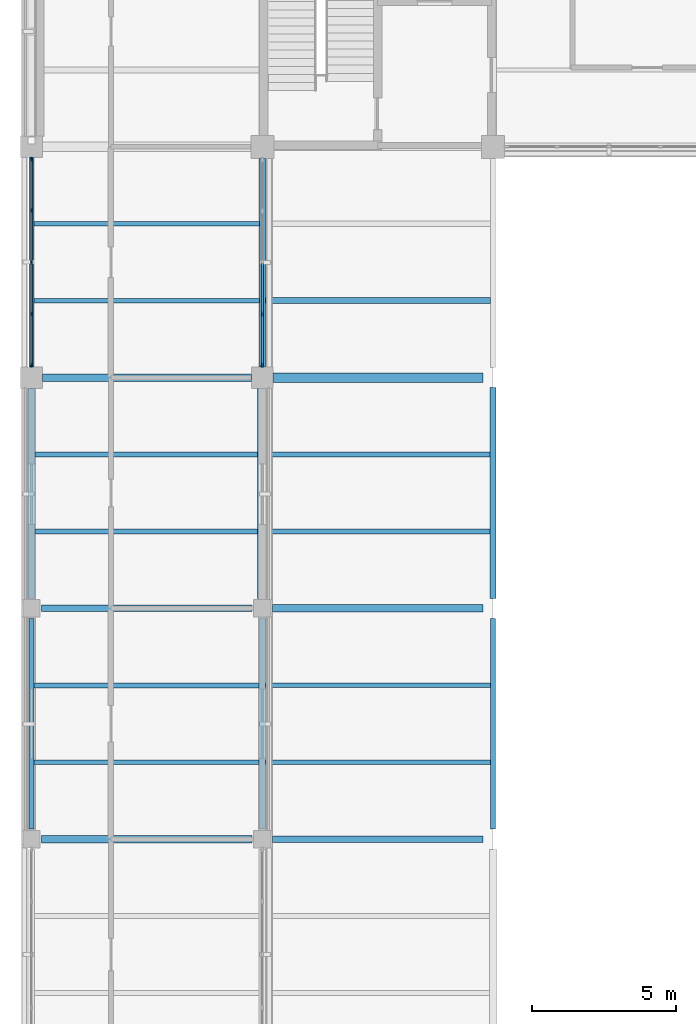
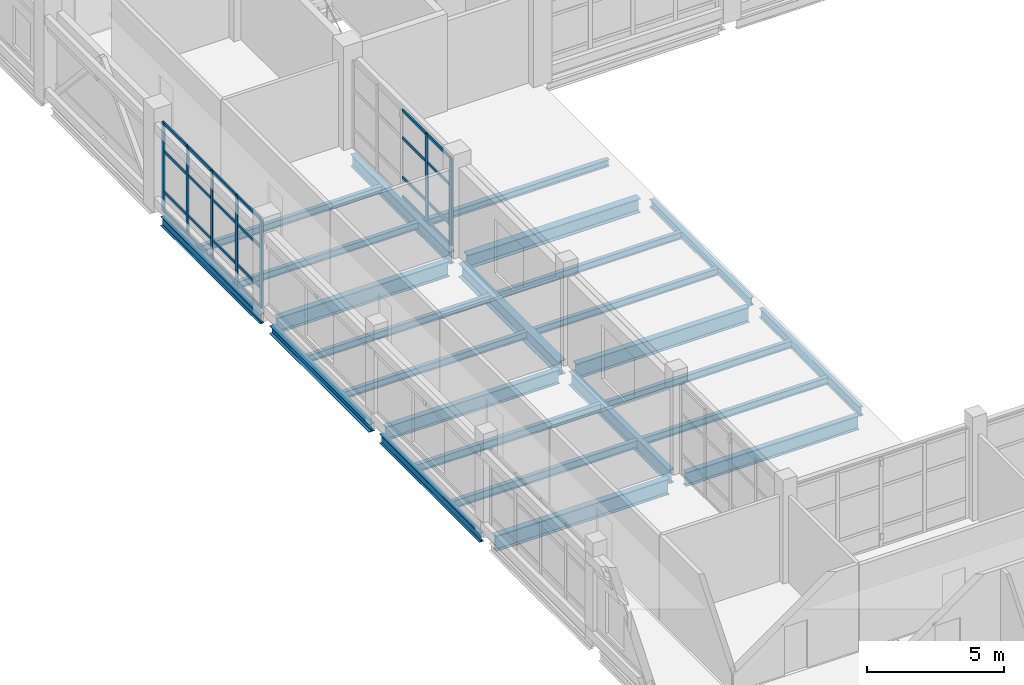
# One storey, part 31 of 121: 31 members, 25 beams, 2 elements without a shape of their own.
"""IFC4 building model written with IfcOpenShell, lengths in metres."""

from ifc_helpers import new_model, si_unit, derived_unit, direction, frame, origin, origin_2d, place, context, subcontext, project, spatial, rectangle, i_section, extrude, material, layer, layer_set, material_profile, profile_set, type_object, element, aggregate, save


model = new_model("IFC4")

# Units and contexts
model_context = context("Model", 3, precision=1e-05, world=origin(), true_north=direction((0.0, 1.0)))
body_context = subcontext(model_context, "Body", "Model", "MODEL_VIEW")
ifc_project = project(units=[si_unit("LENGTHUNIT", "METRE"), si_unit("AREAUNIT", "SQUARE_METRE"), si_unit("VOLUMEUNIT", "CUBIC_METRE"), si_unit("PLANEANGLEUNIT", "RADIAN"), si_unit("MASSUNIT", "GRAM", prefix="KILO"), derived_unit("THERMALTRANSMITTANCEUNIT", [(si_unit("MASSUNIT", "GRAM", prefix="KILO"), 1), (si_unit("TIMEUNIT", "SECOND"), -3), (si_unit("THERMODYNAMICTEMPERATUREUNIT", "KELVIN"), -1)])], contexts=[model_context])

# Site, building, storey
site_placement = place(None, origin())
site = spatial("IfcSite", under=ifc_project, at=site_placement, CompositionType="ELEMENT")
building_placement = place(site_placement, origin())
building = spatial("IfcBuilding", under=site, at=building_placement, Name="Veyamyaing Civic Hall", CompositionType="ELEMENT")
storey_placement = place(building_placement, frame((0.0, 0.0, 5.280029296875)))
storey = spatial("IfcBuildingStorey", under=building, at=storey_placement, Name="L01", CompositionType="ELEMENT", Elevation=5.280029296875)

# Beams
ifc_material_1 = material(Name="Steel ASTM A992", Category="steel")
ifc_material_profile_1 = material_profile(ifc_material_1, i_section(OverallWidth=0.256103515625, OverallDepth=0.693115234375, WebThickness=0.014404296875, FlangeThickness=0.023681640625, FilletRadius=0.013916015625, at=origin_2d()), Name="W690X170")
ifc_profile_set_1 = profile_set([ifc_material_profile_1], Name="Steel ASTM A992")
beam_type_1 = type_object("IfcBeamType", Name="B-04", PredefinedType="BEAM", material=ifc_profile_set_1)
beam_1_placement = place(storey_placement, frame((0.35009765625, 64.0, -0.591552734375), z_axis=(1.0, 0.0, 0.0), x_axis=(0.0, 1.0, 0.0)))
element("IfcBeam", 1, at=beam_1_placement, inside=storey, type_object=beam_type_1, Name="Girder B-04 L01 Grid J 1-2", PredefinedType="BEAM", context=body_context, shape_type="SweptSolid", body=[
    extrude(i_section(OverallWidth=0.256103515625, OverallDepth=0.693115234375, WebThickness=0.014404296875, FlangeThickness=0.023681640625, FilletRadius=0.013916015625, at=origin_2d()), origin(), (0.0, 0.0, 1.0), 7.2998046875),
])
ifc_material_profile_2 = material_profile(ifc_material_1, i_section(OverallWidth=0.22998046875, OverallDepth=0.616943359375, WebThickness=0.01318359375, FlangeThickness=0.022216796875, FilletRadius=0.012939453125, at=origin_2d()), Name="W610X140")
ifc_profile_set_2 = profile_set([ifc_material_profile_2], Name="Steel ASTM A992")
beam_type_2 = type_object("IfcBeamType", Name="B-05", PredefinedType="BEAM", material=ifc_profile_set_2)
for number, where, z_axis, x_axis, name in (
    (2, (8.35009765625, 64.0, -0.548583984375), (1.0, 0.0, 0.0), (0.0, 1.0, 0.0), "Girder B-05 L01 Grid J 2-3"),
    (3, (0.35009765625, 72.0, -0.553466796875), (1.0, 0.0, 0.0), (0.0, 1.0, 0.0), "Girder B-05 L01 Grid K 1-2"),
):
    element("IfcBeam", number, at=place(storey_placement, frame(where, z_axis=z_axis, x_axis=x_axis)), inside=storey, type_object=beam_type_2, Name=name, PredefinedType="BEAM", context=body_context, shape_type="SweptSolid", body=[
        extrude(i_section(OverallWidth=0.22998046875, OverallDepth=0.616943359375, WebThickness=0.01318359375, FlangeThickness=0.022216796875, FilletRadius=0.012939453125, at=origin_2d()), origin(), (0.0, 0.0, 1.0), 7.2998046875),
    ])
ifc_material_profile_3 = material_profile(ifc_material_1, i_section(OverallWidth=0.22802734375, OverallDepth=0.60791015625, WebThickness=0.01123046875, FlangeThickness=0.017333984375, FilletRadius=0.012939453125, at=origin_2d()), Name="W610X113")
ifc_profile_set_3 = profile_set([ifc_material_profile_3], Name="Steel ASTM A992")
beam_type_3 = type_object("IfcBeamType", Name="B-06", PredefinedType="BEAM", material=ifc_profile_set_3)
beam_2_placement = place(storey_placement, frame((8.0, 64.35009765625, -0.549072265625), z_axis=(0.0, 1.0, 0.0), x_axis=(-1.0, 0.0, 0.0)))
element("IfcBeam", 4, at=beam_2_placement, inside=storey, type_object=beam_type_3, Name="Girder B-06 L01 Grid 2 J-K", PredefinedType="BEAM", context=body_context, shape_type="SweptSolid", body=[
    extrude(i_section(OverallWidth=0.22802734375, OverallDepth=0.60791015625, WebThickness=0.01123046875, FlangeThickness=0.017333984375, FilletRadius=0.012939453125, at=origin_2d()), origin(), (0.0, 0.0, 1.0), 7.2998046875),
])
ifc_material_profile_4 = material_profile(ifc_material_1, i_section(OverallWidth=0.179931640625, OverallDepth=0.4130859375, WebThickness=0.009765625, FlangeThickness=0.01611328125, FilletRadius=0.010009765625, at=origin_2d()), Name="W410X74")
ifc_profile_set_4 = profile_set([ifc_material_profile_4], Name="Steel ASTM A992")
beam_type_4 = type_object("IfcBeamType", Name="B-10", PredefinedType="SPANDREL", material=ifc_profile_set_4)
beam_3_placement = place(storey_placement, frame((0.0, 80.375, -0.451416015625), z_axis=(0.0, 1.0, 0.0), x_axis=(-1.0, 0.0, 0.0)))
element("IfcBeam", 5, at=beam_3_placement, inside=storey, type_object=beam_type_4, Name="Girder B-10 L01 Grid 1 L-M", PredefinedType="SPANDREL", context=body_context, shape_type="SweptSolid", body=[
    extrude(i_section(OverallWidth=0.179931640625, OverallDepth=0.4130859375, WebThickness=0.009765625, FlangeThickness=0.01611328125, FilletRadius=0.010009765625, at=origin_2d()), origin(), (0.0, 0.0, 1.0), 7.25),
])
beam_4_placement = place(storey_placement, frame((16.0, 64.35009765625, -0.446533203125), z_axis=(0.0, 1.0, 0.0), x_axis=(-1.0, 0.0, 0.0)))
element("IfcBeam", 6, at=beam_4_placement, inside=storey, type_object=beam_type_4, Name="Girder B-10 L01 Grid 3 J-K", PredefinedType="SPANDREL", context=body_context, shape_type="SweptSolid", body=[
    extrude(i_section(OverallWidth=0.179931640625, OverallDepth=0.4130859375, WebThickness=0.009765625, FlangeThickness=0.01611328125, FilletRadius=0.010009765625, at=origin_2d()), origin(), (0.0, 0.0, 1.0), 7.2998046875),
])
ifc_material_profile_5 = material_profile(ifc_material_1, i_section(OverallWidth=0.2041015625, OverallDepth=0.35009765625, WebThickness=0.0078125, FlangeThickness=0.01513671875, FilletRadius=0.010009765625, at=origin_2d()), Name="W360X72")
ifc_profile_set_5 = profile_set([ifc_material_profile_5], Name="Steel ASTM A992")
beam_type_5 = type_object("IfcBeamType", Name="B-11", PredefinedType="SPANDREL", material=ifc_profile_set_5)
beam_5_placement = place(storey_placement, frame((16.0, 72.35009765625, -0.4150390625), z_axis=(0.0, 1.0, 0.0), x_axis=(-1.0, 0.0, 0.0)))
element("IfcBeam", 7, at=beam_5_placement, inside=storey, type_object=beam_type_5, Name="Girder B-11 L01 Grid 3 K-L", PredefinedType="SPANDREL", context=body_context, shape_type="SweptSolid", body=[
    extrude(i_section(OverallWidth=0.2041015625, OverallDepth=0.35009765625, WebThickness=0.0078125, FlangeThickness=0.01513671875, FilletRadius=0.010009765625, at=origin_2d()), origin(), (0.0, 0.0, 1.0), 7.2998046875),
])
ifc_material_profile_6 = material_profile(ifc_material_1, i_section(OverallWidth=0.25390625, OverallDepth=0.68408203125, WebThickness=0.012451171875, FlangeThickness=0.01904296875, FilletRadius=0.013916015625, at=origin_2d()), Name="W690X140")
ifc_profile_set_6 = profile_set([ifc_material_profile_6], Name="Steel ASTM A992")
beam_type_6 = type_object("IfcBeamType", Name="B-14", PredefinedType="BEAM", material=ifc_profile_set_6)
beam_6_placement = place(storey_placement, frame((8.35009765625, 72.0, -0.58203125), z_axis=(1.0, 0.0, 0.0), x_axis=(0.0, 1.0, 0.0)))
element("IfcBeam", 8, at=beam_6_placement, inside=storey, type_object=beam_type_6, Name="Girder B-14 L01 Grid K 2-3", PredefinedType="BEAM", context=body_context, shape_type="SweptSolid", body=[
    extrude(i_section(OverallWidth=0.25390625, OverallDepth=0.68408203125, WebThickness=0.012451171875, FlangeThickness=0.01904296875, FilletRadius=0.013916015625, at=origin_2d()), origin(), (0.0, 0.0, 1.0), 7.2998046875),
])
beam_7_placement = place(storey_placement, frame((0.375, 80.0, -0.5869140625), z_axis=(1.0, 0.0, 0.0), x_axis=(0.0, 1.0, 0.0)))
element("IfcBeam", 9, at=beam_7_placement, inside=storey, type_object=beam_type_6, Name="Girder B-14 L01 Grid L 1-2", PredefinedType="BEAM", context=body_context, shape_type="SweptSolid", body=[
    extrude(i_section(OverallWidth=0.25390625, OverallDepth=0.68408203125, WebThickness=0.012451171875, FlangeThickness=0.01904296875, FilletRadius=0.013916015625, at=origin_2d()), origin(), (0.0, 0.0, 1.0), 7.25),
])
ifc_material_profile_7 = material_profile(ifc_material_1, i_section(OverallWidth=0.324951171875, OverallDepth=0.615966796875, WebThickness=0.013916015625, FlangeThickness=0.021484375, FilletRadius=0.013916015625, at=origin_2d()), Name="W610X174")
ifc_profile_set_7 = profile_set([ifc_material_profile_7], Name="Steel ASTM A992")
beam_type_7 = type_object("IfcBeamType", Name="B-15", PredefinedType="BEAM", material=ifc_profile_set_7)
for number, where, z_axis, x_axis, name in (
    (10, (8.375, 80.0, -0.548095703125), (1.0, 0.0, 0.0), (0.0, 1.0, 0.0), "Girder B-15 L01 Grid L 2-3"),
    (11, (8.0, 72.35009765625, -0.552978515625), (0.0, 1.0, 0.0), (-1.0, 0.0, 0.0), "Girder B-15 L01 Grid 2 K-L"),
):
    element("IfcBeam", number, at=place(storey_placement, frame(where, z_axis=z_axis, x_axis=x_axis)), inside=storey, type_object=beam_type_7, Name=name, PredefinedType="BEAM", context=body_context, shape_type="SweptSolid", body=[
        extrude(i_section(OverallWidth=0.324951171875, OverallDepth=0.615966796875, WebThickness=0.013916015625, FlangeThickness=0.021484375, FilletRadius=0.013916015625, at=origin_2d()), origin(), (0.0, 0.0, 1.0), 7.27490234375),
    ])
ifc_material_profile_8 = material_profile(ifc_material_1, i_section(OverallWidth=0.214111328125, OverallDepth=0.549072265625, WebThickness=0.0146484375, FlangeThickness=0.023681640625, FilletRadius=0.011962890625, at=origin_2d()), Name="W530X138")
ifc_profile_set_8 = profile_set([ifc_material_profile_8], Name="Steel ASTM A992")
beam_type_8 = type_object("IfcBeamType", Name="B-16", PredefinedType="BEAM", material=ifc_profile_set_8)
beam_8_placement = place(storey_placement, frame((8.0, 80.375, -0.51953125), z_axis=(0.0, 1.0, 0.0), x_axis=(-1.0, 0.0, 0.0)))
element("IfcBeam", 12, at=beam_8_placement, inside=storey, type_object=beam_type_8, Name="Girder B-16 L01 Grid 2 L-M", PredefinedType="BEAM", context=body_context, shape_type="SweptSolid", body=[
    extrude(i_section(OverallWidth=0.214111328125, OverallDepth=0.549072265625, WebThickness=0.0146484375, FlangeThickness=0.023681640625, FilletRadius=0.011962890625, at=origin_2d()), origin(), (0.0, 0.0, 1.0), 7.22509765625),
])
ifc_material_profile_9 = material_profile(ifc_material_1, i_section(OverallWidth=0.180908203125, OverallDepth=0.4169921875, WebThickness=0.010986328125, FlangeThickness=0.018310546875, FilletRadius=0.010009765625, at=origin_2d()), Name="W410X85")
ifc_profile_set_9 = profile_set([ifc_material_profile_9], Name="Steel ASTM A992")
beam_type_9 = type_object("IfcBeamType", Name="B-19", PredefinedType="SPANDREL", material=ifc_profile_set_9)
beam_9_placement = place(storey_placement, frame((0.0, 64.35009765625, -0.45361328125), z_axis=(0.0, 1.0, 0.0), x_axis=(-1.0, 0.0, 0.0)))
element("IfcBeam", 13, at=beam_9_placement, inside=storey, type_object=beam_type_9, Name="Girder B-19 L01 Grid 1 J-K", PredefinedType="SPANDREL", context=body_context, shape_type="SweptSolid", body=[
    extrude(i_section(OverallWidth=0.180908203125, OverallDepth=0.4169921875, WebThickness=0.010986328125, FlangeThickness=0.018310546875, FilletRadius=0.010009765625, at=origin_2d()), origin(), (0.0, 0.0, 1.0), 7.2998046875),
])
ifc_material_profile_10 = material_profile(ifc_material_1, i_section(OverallWidth=0.25390625, OverallDepth=0.35302734375, WebThickness=0.009521484375, FlangeThickness=0.016357421875, FilletRadius=0.011962890625, at=origin_2d()), Name="W360X91")
ifc_profile_set_10 = profile_set([ifc_material_profile_10], Name="Steel ASTM A992")
beam_type_10 = type_object("IfcBeamType", Name="B-20", PredefinedType="SPANDREL", material=ifc_profile_set_10)
beam_10_placement = place(storey_placement, frame((0.0, 72.35009765625, -0.421630859375), z_axis=(0.0, 1.0, 0.0), x_axis=(-1.0, 0.0, 0.0)))
element("IfcBeam", 14, at=beam_10_placement, inside=storey, type_object=beam_type_10, Name="Girder B-20 L01 Grid 1 K-L", PredefinedType="SPANDREL", context=body_context, shape_type="SweptSolid", body=[
    extrude(i_section(OverallWidth=0.25390625, OverallDepth=0.35302734375, WebThickness=0.009521484375, FlangeThickness=0.016357421875, FilletRadius=0.011962890625, at=origin_2d()), origin(), (0.0, 0.0, 1.0), 7.27490234375),
])

# Curtain wall, members
ifc_material_2 = material(Name="Anodised aluminium 6063-T6", Category="aluminium")
ifc_layer = layer(ifc_material_2, 0.159912109375, Name="Anodised aluminium 6063-T6")
ifc_layer_set = layer_set([ifc_layer], Name="Anodised aluminium 6063-T6")
curtain_wall_type = type_object("IfcCurtainWallType", Name="CW-02", PredefinedType="NOTDEFINED", material=ifc_layer_set)
curtain_wall_1_placement = place(storey_placement, origin())
curtain_wall_1 = element("IfcCurtainWall", 15, at=curtain_wall_1_placement, inside=storey, type_object=curtain_wall_type, Name="Unitized curtain wall CW-02 L01 W 1.11", PredefinedType="NOTDEFINED")
ifc_material_profile_11 = material_profile(ifc_material_2, rectangle(XDim=0.06494140625, YDim=0.159912109375, at=origin_2d()), Name="ALU-MUL-65X160")
ifc_profile_set_11 = profile_set([ifc_material_profile_11], Name="Anodised aluminium 6063-T6")
member_type_1 = type_object("IfcMemberType", Name="CWM-01", PredefinedType="MULLION", material=ifc_profile_set_11)
member_1_placement = place(storey_placement, frame((0.0, 80.4375, 0.0), z_axis=(0.0, 0.0, 1.0), x_axis=(-1.0, 0.0, 0.0)))
member_1 = element("IfcMember", 16, at=member_1_placement, type_object=member_type_1, Name="CW-02 mullion 1", PredefinedType="MULLION", context=body_context, shape_type="SweptSolid", body=[
    extrude(rectangle(XDim=0.06494140625, YDim=0.159912109375, at=origin_2d()), origin(), (0.0, 0.0, 1.0), 3.97705078125),
])
member_2_placement = place(storey_placement, frame((0.0, 82.202392578125, 0.0), z_axis=(0.0, 0.0, 1.0), x_axis=(-1.0, 0.0, 0.0)))
member_2 = element("IfcMember", 17, at=member_2_placement, type_object=member_type_1, Name="CW-02 mullion 2", PredefinedType="MULLION", context=body_context, shape_type="SweptSolid", body=[
    extrude(rectangle(XDim=0.06494140625, YDim=0.159912109375, at=origin_2d()), origin(), (0.0, 0.0, 1.0), 3.97705078125),
])
member_3_placement = place(storey_placement, frame((0.0, 84.0, 0.0), z_axis=(0.0, 0.0, 1.0), x_axis=(-1.0, 0.0, 0.0)))
member_3 = element("IfcMember", 18, at=member_3_placement, type_object=member_type_1, Name="CW-02 mullion 3", PredefinedType="MULLION", context=body_context, shape_type="SweptSolid", body=[
    extrude(rectangle(XDim=0.06494140625, YDim=0.159912109375, at=origin_2d()), origin(), (0.0, 0.0, 1.0), 3.97705078125),
])
member_4_placement = place(storey_placement, frame((0.0, 85.797607421875, 0.0), z_axis=(0.0, 0.0, 1.0), x_axis=(-1.0, 0.0, 0.0)))
member_4 = element("IfcMember", 19, at=member_4_placement, type_object=member_type_1, Name="CW-02 mullion 4", PredefinedType="MULLION", context=body_context, shape_type="SweptSolid", body=[
    extrude(rectangle(XDim=0.06494140625, YDim=0.159912109375, at=origin_2d()), origin(), (0.0, 0.0, 1.0), 3.97705078125),
])
member_5_placement = place(storey_placement, frame((0.0, 87.5625, 0.0), z_axis=(0.0, 0.0, 1.0), x_axis=(-1.0, 0.0, 0.0)))
member_5 = element("IfcMember", 20, at=member_5_placement, type_object=member_type_1, Name="CW-02 mullion 5", PredefinedType="MULLION", context=body_context, shape_type="SweptSolid", body=[
    extrude(rectangle(XDim=0.06494140625, YDim=0.159912109375, at=origin_2d()), origin(), (0.0, 0.0, 1.0), 3.97705078125),
])

curtain_wall_2_placement = place(storey_placement, origin())
curtain_wall_2 = element("IfcCurtainWall", 21, at=curtain_wall_2_placement, inside=storey, type_object=curtain_wall_type, Name="Unitized curtain wall CW-02 L01 E 1.11", PredefinedType="NOTDEFINED")
member_6_placement = place(storey_placement, frame((8.0, 80.4375, 0.0), z_axis=(0.0, 0.0, 1.0), x_axis=(-1.0, 0.0, 0.0)))
member_6 = element("IfcMember", 22, at=member_6_placement, type_object=member_type_1, Name="CW-02 mullion 1", PredefinedType="MULLION", context=body_context, shape_type="SweptSolid", body=[
    extrude(rectangle(XDim=0.06494140625, YDim=0.159912109375, at=origin_2d()), origin(), (0.0, 0.0, 1.0), 3.909912109375),
])
member_7_placement = place(storey_placement, frame((8.0, 82.1962890625, 0.0), z_axis=(0.0, 0.0, 1.0), x_axis=(-1.0, 0.0, 0.0)))
member_7 = element("IfcMember", 23, at=member_7_placement, type_object=member_type_1, Name="CW-02 mullion 2", PredefinedType="MULLION", context=body_context, shape_type="SweptSolid", body=[
    extrude(rectangle(XDim=0.06494140625, YDim=0.159912109375, at=origin_2d()), origin(), (0.0, 0.0, 1.0), 3.909912109375),
])

# Member
ifc_material_profile_12 = material_profile(ifc_material_2, rectangle(XDim=0.06494140625, YDim=0.1201171875, at=origin_2d()), Name="ALU-TRN-65X120")
ifc_profile_set_12 = profile_set([ifc_material_profile_12], Name="Anodised aluminium 6063-T6")
member_type_2 = type_object("IfcMemberType", Name="CWT-01", PredefinedType="USERDEFINED", material=ifc_profile_set_12)
member_8_placement = place(storey_placement, frame((0.0, 80.469970703125, 0.032470703125), z_axis=(0.0, 1.0, 0.0), x_axis=(-1.0, 0.0, 0.0)))
member_8 = element("IfcMember", 24, at=member_8_placement, type_object=member_type_2, Name="CW-02 transom 1.1", ObjectType="TRANSOM", PredefinedType="USERDEFINED", context=body_context, shape_type="SweptSolid", body=[
    extrude(rectangle(XDim=0.06494140625, YDim=0.1201171875, at=origin_2d()), origin(), (0.0, 0.0, 1.0), 1.699951171875),
])

member_9_placement = place(storey_placement, frame((0.0, 80.469970703125, 0.89990234375), z_axis=(0.0, 1.0, 0.0), x_axis=(-1.0, 0.0, 0.0)))
member_9 = element("IfcMember", 25, at=member_9_placement, type_object=member_type_2, Name="CW-02 transom 1.2", ObjectType="TRANSOM", PredefinedType="USERDEFINED", context=body_context, shape_type="SweptSolid", body=[
    extrude(rectangle(XDim=0.06494140625, YDim=0.1201171875, at=origin_2d()), origin(), (0.0, 0.0, 1.0), 1.699951171875),
])

member_10_placement = place(storey_placement, frame((0.0, 80.469970703125, 2.704345703125), z_axis=(0.0, 1.0, 0.0), x_axis=(-1.0, 0.0, 0.0)))
member_10 = element("IfcMember", 26, at=member_10_placement, type_object=member_type_2, Name="CW-02 transom 1.3", ObjectType="TRANSOM", PredefinedType="USERDEFINED", context=body_context, shape_type="SweptSolid", body=[
    extrude(rectangle(XDim=0.06494140625, YDim=0.1201171875, at=origin_2d()), origin(), (0.0, 0.0, 1.0), 1.699951171875),
])

member_11_placement = place(storey_placement, frame((0.0, 80.469970703125, 3.944580078125), z_axis=(0.0, 1.0, 0.0), x_axis=(-1.0, 0.0, 0.0)))
member_11 = element("IfcMember", 27, at=member_11_placement, type_object=member_type_2, Name="CW-02 transom 1.4", ObjectType="TRANSOM", PredefinedType="USERDEFINED", context=body_context, shape_type="SweptSolid", body=[
    extrude(rectangle(XDim=0.06494140625, YDim=0.1201171875, at=origin_2d()), origin(), (0.0, 0.0, 1.0), 1.699951171875),
])

member_12_placement = place(storey_placement, frame((0.0, 82.235107421875, 0.032470703125), z_axis=(0.0, 1.0, 0.0), x_axis=(-1.0, 0.0, 0.0)))
member_12 = element("IfcMember", 28, at=member_12_placement, type_object=member_type_2, Name="CW-02 transom 2.1", ObjectType="TRANSOM", PredefinedType="USERDEFINED", context=body_context, shape_type="SweptSolid", body=[
    extrude(rectangle(XDim=0.06494140625, YDim=0.1201171875, at=origin_2d()), origin(), (0.0, 0.0, 1.0), 1.732421875),
])

member_13_placement = place(storey_placement, frame((0.0, 82.235107421875, 0.89990234375), z_axis=(0.0, 1.0, 0.0), x_axis=(-1.0, 0.0, 0.0)))
member_13 = element("IfcMember", 29, at=member_13_placement, type_object=member_type_2, Name="CW-02 transom 2.2", ObjectType="TRANSOM", PredefinedType="USERDEFINED", context=body_context, shape_type="SweptSolid", body=[
    extrude(rectangle(XDim=0.06494140625, YDim=0.1201171875, at=origin_2d()), origin(), (0.0, 0.0, 1.0), 1.732421875),
])

member_14_placement = place(storey_placement, frame((0.0, 82.235107421875, 2.704345703125), z_axis=(0.0, 1.0, 0.0), x_axis=(-1.0, 0.0, 0.0)))
member_14 = element("IfcMember", 30, at=member_14_placement, type_object=member_type_2, Name="CW-02 transom 2.3", ObjectType="TRANSOM", PredefinedType="USERDEFINED", context=body_context, shape_type="SweptSolid", body=[
    extrude(rectangle(XDim=0.06494140625, YDim=0.1201171875, at=origin_2d()), origin(), (0.0, 0.0, 1.0), 1.732421875),
])

member_15_placement = place(storey_placement, frame((0.0, 82.235107421875, 3.944580078125), z_axis=(0.0, 1.0, 0.0), x_axis=(-1.0, 0.0, 0.0)))
member_15 = element("IfcMember", 31, at=member_15_placement, type_object=member_type_2, Name="CW-02 transom 2.4", ObjectType="TRANSOM", PredefinedType="USERDEFINED", context=body_context, shape_type="SweptSolid", body=[
    extrude(rectangle(XDim=0.06494140625, YDim=0.1201171875, at=origin_2d()), origin(), (0.0, 0.0, 1.0), 1.732421875),
])

member_16_placement = place(storey_placement, frame((0.0, 84.032470703125, 0.032470703125), z_axis=(0.0, 1.0, 0.0), x_axis=(-1.0, 0.0, 0.0)))
member_16 = element("IfcMember", 32, at=member_16_placement, type_object=member_type_2, Name="CW-02 transom 3.1", ObjectType="TRANSOM", PredefinedType="USERDEFINED", context=body_context, shape_type="SweptSolid", body=[
    extrude(rectangle(XDim=0.06494140625, YDim=0.1201171875, at=origin_2d()), origin(), (0.0, 0.0, 1.0), 1.732421875),
])

member_17_placement = place(storey_placement, frame((0.0, 84.032470703125, 0.89990234375), z_axis=(0.0, 1.0, 0.0), x_axis=(-1.0, 0.0, 0.0)))
member_17 = element("IfcMember", 33, at=member_17_placement, type_object=member_type_2, Name="CW-02 transom 3.2", ObjectType="TRANSOM", PredefinedType="USERDEFINED", context=body_context, shape_type="SweptSolid", body=[
    extrude(rectangle(XDim=0.06494140625, YDim=0.1201171875, at=origin_2d()), origin(), (0.0, 0.0, 1.0), 1.732421875),
])

member_18_placement = place(storey_placement, frame((0.0, 84.032470703125, 2.704345703125), z_axis=(0.0, 1.0, 0.0), x_axis=(-1.0, 0.0, 0.0)))
member_18 = element("IfcMember", 34, at=member_18_placement, type_object=member_type_2, Name="CW-02 transom 3.3", ObjectType="TRANSOM", PredefinedType="USERDEFINED", context=body_context, shape_type="SweptSolid", body=[
    extrude(rectangle(XDim=0.06494140625, YDim=0.1201171875, at=origin_2d()), origin(), (0.0, 0.0, 1.0), 1.732421875),
])

member_19_placement = place(storey_placement, frame((0.0, 84.032470703125, 3.944580078125), z_axis=(0.0, 1.0, 0.0), x_axis=(-1.0, 0.0, 0.0)))
member_19 = element("IfcMember", 35, at=member_19_placement, type_object=member_type_2, Name="CW-02 transom 3.4", ObjectType="TRANSOM", PredefinedType="USERDEFINED", context=body_context, shape_type="SweptSolid", body=[
    extrude(rectangle(XDim=0.06494140625, YDim=0.1201171875, at=origin_2d()), origin(), (0.0, 0.0, 1.0), 1.732421875),
])

member_20_placement = place(storey_placement, frame((0.0, 85.830078125, 0.032470703125), z_axis=(0.0, 1.0, 0.0), x_axis=(-1.0, 0.0, 0.0)))
member_20 = element("IfcMember", 36, at=member_20_placement, type_object=member_type_2, Name="CW-02 transom 4.1", ObjectType="TRANSOM", PredefinedType="USERDEFINED", context=body_context, shape_type="SweptSolid", body=[
    extrude(rectangle(XDim=0.06494140625, YDim=0.1201171875, at=origin_2d()), origin(), (0.0, 0.0, 1.0), 1.699951171875),
])

member_21_placement = place(storey_placement, frame((0.0, 85.830078125, 0.89990234375), z_axis=(0.0, 1.0, 0.0), x_axis=(-1.0, 0.0, 0.0)))
member_21 = element("IfcMember", 37, at=member_21_placement, type_object=member_type_2, Name="CW-02 transom 4.2", ObjectType="TRANSOM", PredefinedType="USERDEFINED", context=body_context, shape_type="SweptSolid", body=[
    extrude(rectangle(XDim=0.06494140625, YDim=0.1201171875, at=origin_2d()), origin(), (0.0, 0.0, 1.0), 1.699951171875),
])

member_22_placement = place(storey_placement, frame((0.0, 85.830078125, 2.704345703125), z_axis=(0.0, 1.0, 0.0), x_axis=(-1.0, 0.0, 0.0)))
member_22 = element("IfcMember", 38, at=member_22_placement, type_object=member_type_2, Name="CW-02 transom 4.3", ObjectType="TRANSOM", PredefinedType="USERDEFINED", context=body_context, shape_type="SweptSolid", body=[
    extrude(rectangle(XDim=0.06494140625, YDim=0.1201171875, at=origin_2d()), origin(), (0.0, 0.0, 1.0), 1.699951171875),
])

member_23_placement = place(storey_placement, frame((0.0, 85.830078125, 3.944580078125), z_axis=(0.0, 1.0, 0.0), x_axis=(-1.0, 0.0, 0.0)))
member_23 = element("IfcMember", 39, at=member_23_placement, type_object=member_type_2, Name="CW-02 transom 4.4", ObjectType="TRANSOM", PredefinedType="USERDEFINED", context=body_context, shape_type="SweptSolid", body=[
    extrude(rectangle(XDim=0.06494140625, YDim=0.1201171875, at=origin_2d()), origin(), (0.0, 0.0, 1.0), 1.699951171875),
])

aggregate(curtain_wall_1, [member_1, member_2, member_3, member_4, member_5, member_8, member_9, member_10, member_11, member_12, member_13, member_14, member_15, member_16, member_17, member_18, member_19, member_20, member_21, member_22, member_23])

member_24_placement = place(storey_placement, frame((8.0, 80.469970703125, 0.032470703125), z_axis=(0.0, 1.0, 0.0), x_axis=(-1.0, 0.0, 0.0)))
member_24 = element("IfcMember", 40, at=member_24_placement, type_object=member_type_2, Name="CW-02 transom 1.1", ObjectType="TRANSOM", PredefinedType="USERDEFINED", context=body_context, shape_type="SweptSolid", body=[
    extrude(rectangle(XDim=0.06494140625, YDim=0.1201171875, at=origin_2d()), origin(), (0.0, 0.0, 1.0), 1.69384765625),
])

member_25_placement = place(storey_placement, frame((8.0, 80.469970703125, 0.89990234375), z_axis=(0.0, 1.0, 0.0), x_axis=(-1.0, 0.0, 0.0)))
member_25 = element("IfcMember", 41, at=member_25_placement, type_object=member_type_2, Name="CW-02 transom 1.2", ObjectType="TRANSOM", PredefinedType="USERDEFINED", context=body_context, shape_type="SweptSolid", body=[
    extrude(rectangle(XDim=0.06494140625, YDim=0.1201171875, at=origin_2d()), origin(), (0.0, 0.0, 1.0), 1.69384765625),
])

member_26_placement = place(storey_placement, frame((8.0, 80.469970703125, 2.65869140625), z_axis=(0.0, 1.0, 0.0), x_axis=(-1.0, 0.0, 0.0)))
member_26 = element("IfcMember", 42, at=member_26_placement, type_object=member_type_2, Name="CW-02 transom 1.3", ObjectType="TRANSOM", PredefinedType="USERDEFINED", context=body_context, shape_type="SweptSolid", body=[
    extrude(rectangle(XDim=0.06494140625, YDim=0.1201171875, at=origin_2d()), origin(), (0.0, 0.0, 1.0), 1.69384765625),
])

member_27_placement = place(storey_placement, frame((8.0, 80.469970703125, 3.87744140625), z_axis=(0.0, 1.0, 0.0), x_axis=(-1.0, 0.0, 0.0)))
member_27 = element("IfcMember", 43, at=member_27_placement, type_object=member_type_2, Name="CW-02 transom 1.4", ObjectType="TRANSOM", PredefinedType="USERDEFINED", context=body_context, shape_type="SweptSolid", body=[
    extrude(rectangle(XDim=0.06494140625, YDim=0.1201171875, at=origin_2d()), origin(), (0.0, 0.0, 1.0), 1.69384765625),
])

member_28_placement = place(storey_placement, frame((8.0, 82.228759765625, 0.032470703125), z_axis=(0.0, 1.0, 0.0), x_axis=(-1.0, 0.0, 0.0)))
member_28 = element("IfcMember", 44, at=member_28_placement, type_object=member_type_2, Name="CW-02 transom 2.1", ObjectType="TRANSOM", PredefinedType="USERDEFINED", context=body_context, shape_type="SweptSolid", body=[
    extrude(rectangle(XDim=0.06494140625, YDim=0.1201171875, at=origin_2d()), origin(), (0.0, 0.0, 1.0), 1.726318359375),
])

member_29_placement = place(storey_placement, frame((8.0, 82.228759765625, 0.89990234375), z_axis=(0.0, 1.0, 0.0), x_axis=(-1.0, 0.0, 0.0)))
member_29 = element("IfcMember", 45, at=member_29_placement, type_object=member_type_2, Name="CW-02 transom 2.2", ObjectType="TRANSOM", PredefinedType="USERDEFINED", context=body_context, shape_type="SweptSolid", body=[
    extrude(rectangle(XDim=0.06494140625, YDim=0.1201171875, at=origin_2d()), origin(), (0.0, 0.0, 1.0), 1.726318359375),
])

member_30_placement = place(storey_placement, frame((8.0, 82.228759765625, 2.65869140625), z_axis=(0.0, 1.0, 0.0), x_axis=(-1.0, 0.0, 0.0)))
member_30 = element("IfcMember", 46, at=member_30_placement, type_object=member_type_2, Name="CW-02 transom 2.3", ObjectType="TRANSOM", PredefinedType="USERDEFINED", context=body_context, shape_type="SweptSolid", body=[
    extrude(rectangle(XDim=0.06494140625, YDim=0.1201171875, at=origin_2d()), origin(), (0.0, 0.0, 1.0), 1.726318359375),
])

member_31_placement = place(storey_placement, frame((8.0, 82.228759765625, 3.87744140625), z_axis=(0.0, 1.0, 0.0), x_axis=(-1.0, 0.0, 0.0)))
member_31 = element("IfcMember", 47, at=member_31_placement, type_object=member_type_2, Name="CW-02 transom 2.4", ObjectType="TRANSOM", PredefinedType="USERDEFINED", context=body_context, shape_type="SweptSolid", body=[
    extrude(rectangle(XDim=0.06494140625, YDim=0.1201171875, at=origin_2d()), origin(), (0.0, 0.0, 1.0), 1.726318359375),
])

aggregate(curtain_wall_2, [member_6, member_7, member_24, member_25, member_26, member_27, member_28, member_29, member_30, member_31])

# Beams
ifc_material_profile_13 = material_profile(ifc_material_1, i_section(OverallWidth=0.1708984375, OverallDepth=0.35205078125, WebThickness=0.0068359375, FlangeThickness=0.009765625, FilletRadius=0.010009765625, at=origin_2d()), Name="W360X44")
ifc_profile_set_13 = profile_set([ifc_material_profile_13], Name="Steel ASTM A992")
beam_type_11 = type_object("IfcBeamType", Name="J-03", PredefinedType="JOIST", material=ifc_profile_set_13)
for number, where, z_axis, x_axis, name in (
    (48, (0.08837890625, 66.666748046875, -0.421142578125), (1.0, 0.0, 0.0), (0.0, 1.0, 0.0), "Composite floor joist J-03 L01 1.9.1"),
    (49, (0.08837890625, 69.333251953125, -0.421142578125), (1.0, 0.0, 0.0), (0.0, 1.0, 0.0), "Composite floor joist J-03 L01 1.9.2"),
):
    element("IfcBeam", number, at=place(storey_placement, frame(where, z_axis=z_axis, x_axis=x_axis)), inside=storey, type_object=beam_type_11, Name=name, PredefinedType="JOIST", context=body_context, shape_type="SweptSolid", body=[
        extrude(i_section(OverallWidth=0.1708984375, OverallDepth=0.35205078125, WebThickness=0.0068359375, FlangeThickness=0.009765625, FilletRadius=0.010009765625, at=origin_2d()), origin(), (0.0, 0.0, 1.0), 7.799560546875),
    ])
ifc_material_profile_14 = material_profile(ifc_material_1, i_section(OverallWidth=0.1669921875, OverallDepth=0.318115234375, WebThickness=0.007568359375, FlangeThickness=0.01318359375, FilletRadius=0.010009765625, at=origin_2d()), Name="W310X52")
ifc_profile_set_14 = profile_set([ifc_material_profile_14], Name="Steel ASTM A992")
beam_type_12 = type_object("IfcBeamType", Name="J-04", PredefinedType="JOIST", material=ifc_profile_set_14)
for number, where, z_axis, x_axis, name in (
    (50, (0.125, 74.666748046875, -0.404052734375), (1.0, 0.0, 0.0), (0.0, 1.0, 0.0), "Composite floor joist J-04 L01 1.10.1"),
    (51, (0.125, 77.333251953125, -0.404052734375), (1.0, 0.0, 0.0), (0.0, 1.0, 0.0), "Composite floor joist J-04 L01 1.10.2"),
):
    element("IfcBeam", number, at=place(storey_placement, frame(where, z_axis=z_axis, x_axis=x_axis)), inside=storey, type_object=beam_type_12, Name=name, PredefinedType="JOIST", context=body_context, shape_type="SweptSolid", body=[
        extrude(i_section(OverallWidth=0.1669921875, OverallDepth=0.318115234375, WebThickness=0.007568359375, FlangeThickness=0.01318359375, FilletRadius=0.010009765625, at=origin_2d()), origin(), (0.0, 0.0, 1.0), 7.714599609375),
    ])
for number, where, z_axis, x_axis, name in (
    (52, (8.112060546875, 66.666748046875, -0.404052734375), (1.0, 0.0, 0.0), (0.0, 1.0, 0.0), "Composite floor joist J-04 L01 2.9.1"),
    (53, (8.112060546875, 69.333251953125, -0.404052734375), (1.0, 0.0, 0.0), (0.0, 1.0, 0.0), "Composite floor joist J-04 L01 2.9.2"),
):
    element("IfcBeam", number, at=place(storey_placement, frame(where, z_axis=z_axis, x_axis=x_axis)), inside=storey, type_object=beam_type_12, Name=name, PredefinedType="JOIST", context=body_context, shape_type="SweptSolid", body=[
        extrude(i_section(OverallWidth=0.1669921875, OverallDepth=0.318115234375, WebThickness=0.007568359375, FlangeThickness=0.01318359375, FilletRadius=0.010009765625, at=origin_2d()), origin(), (0.0, 0.0, 1.0), 7.800048828125),
    ])
ifc_material_profile_15 = material_profile(ifc_material_1, i_section(OverallWidth=0.1650390625, OverallDepth=0.31005859375, WebThickness=0.005859375, FlangeThickness=0.009765625, FilletRadius=0.010009765625, at=origin_2d()), Name="W310X39")
ifc_profile_set_15 = profile_set([ifc_material_profile_15], Name="Steel ASTM A992")
beam_type_13 = type_object("IfcBeamType", Name="J-05", PredefinedType="JOIST", material=ifc_profile_set_15)
for number, where, z_axis, x_axis, name in (
    (54, (0.087890625, 82.666748046875, -0.400146484375), (1.0, 0.0, 0.0), (0.0, 1.0, 0.0), "Composite floor joist J-05 L01 1.11.1"),
    (55, (0.087890625, 85.333251953125, -0.400146484375), (1.0, 0.0, 0.0), (0.0, 1.0, 0.0), "Composite floor joist J-05 L01 1.11.2"),
):
    element("IfcBeam", number, at=place(storey_placement, frame(where, z_axis=z_axis, x_axis=x_axis)), inside=storey, type_object=beam_type_13, Name=name, PredefinedType="JOIST", context=body_context, shape_type="SweptSolid", body=[
        extrude(i_section(OverallWidth=0.1650390625, OverallDepth=0.31005859375, WebThickness=0.005859375, FlangeThickness=0.009765625, FilletRadius=0.010009765625, at=origin_2d()), origin(), (0.0, 0.0, 1.0), 7.80712890625),
    ])
for number, where, z_axis, x_axis, name in (
    (56, (8.160400390625, 74.666748046875, -0.400146484375), (1.0, 0.0, 0.0), (0.0, 1.0, 0.0), "Composite floor joist J-05 L01 2.10.1"),
    (57, (8.160400390625, 77.333251953125, -0.400146484375), (1.0, 0.0, 0.0), (0.0, 1.0, 0.0), "Composite floor joist J-05 L01 2.10.2"),
):
    element("IfcBeam", number, at=place(storey_placement, frame(where, z_axis=z_axis, x_axis=x_axis)), inside=storey, type_object=beam_type_13, Name=name, PredefinedType="JOIST", context=body_context, shape_type="SweptSolid", body=[
        extrude(i_section(OverallWidth=0.1650390625, OverallDepth=0.31005859375, WebThickness=0.005859375, FlangeThickness=0.009765625, FilletRadius=0.010009765625, at=origin_2d()), origin(), (0.0, 0.0, 1.0), 7.739501953125),
    ])
ifc_material_profile_16 = material_profile(ifc_material_1, i_section(OverallWidth=0.2041015625, OverallDepth=0.305908203125, WebThickness=0.008544921875, FlangeThickness=0.0146484375, FilletRadius=0.010009765625, at=origin_2d()), Name="W310X67")
ifc_profile_set_16 = profile_set([ifc_material_profile_16], Name="Steel ASTM A992")
beam_type_14 = type_object("IfcBeamType", Name="J-06", PredefinedType="JOIST", material=ifc_profile_set_16)
beam_11_placement = place(storey_placement, frame((8.10498046875, 82.666748046875, -0.39794921875), z_axis=(1.0, 0.0, 0.0), x_axis=(0.0, 1.0, 0.0)))
element("IfcBeam", 58, at=beam_11_placement, inside=storey, type_object=beam_type_14, Name="Composite floor joist J-06 L01 2.11.1", PredefinedType="JOIST", context=body_context, shape_type="SweptSolid", body=[
    extrude(i_section(OverallWidth=0.2041015625, OverallDepth=0.305908203125, WebThickness=0.008544921875, FlangeThickness=0.0146484375, FilletRadius=0.010009765625, at=origin_2d()), origin(), (0.0, 0.0, 1.0), 7.806640625),
])

save(model, "model.ifc")
